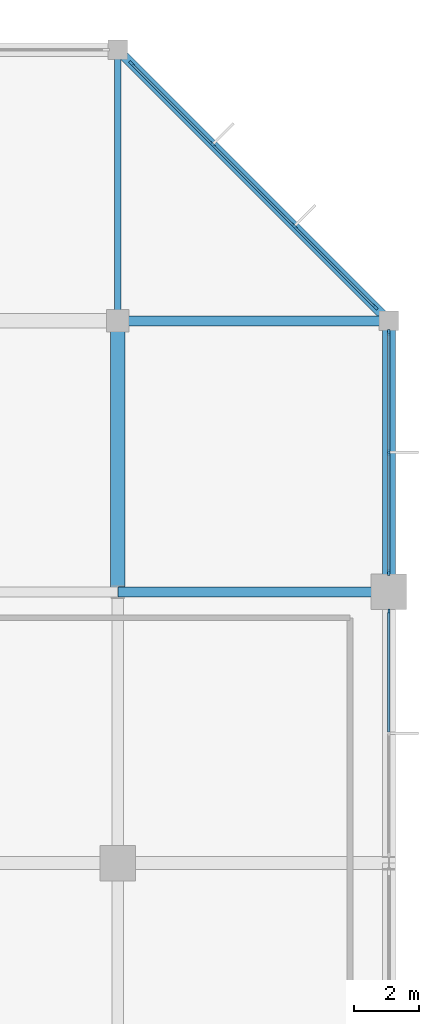
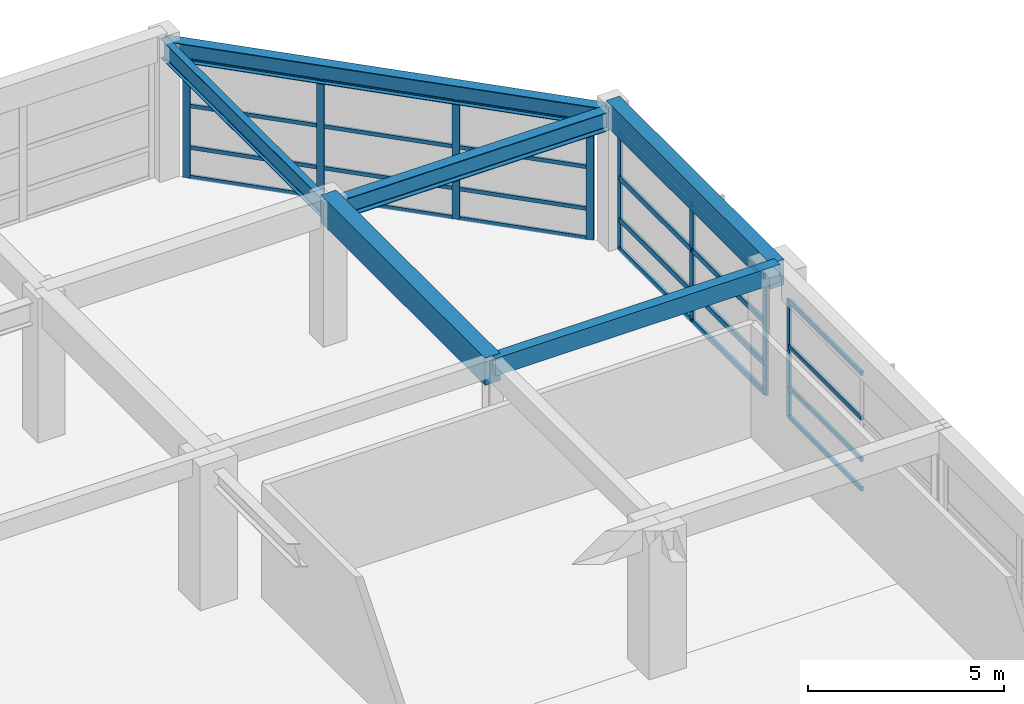
# One storey, part 41 of 62: 32 members, 6 beams, 3 elements without a shape of their own.
"""IFC4 building model written with IfcOpenShell, lengths in metres."""

from ifc_helpers import new_model, si_unit, direction, frame, origin, origin_2d, place, context, subcontext, project, spatial, rectangle, i_section, extrude, material, material_profile, profile_set, type_object, element, aggregate, save


model = new_model("IFC4")

# Units and contexts
model_context = context("Model", 3, precision=1e-05, world=origin(), true_north=direction((0.0, 1.0)))
body_context = subcontext(model_context, "Body", "Model", "MODEL_VIEW")
ifc_project = project(units=[si_unit("LENGTHUNIT", "METRE"), si_unit("AREAUNIT", "SQUARE_METRE"), si_unit("VOLUMEUNIT", "CUBIC_METRE"), si_unit("PLANEANGLEUNIT", "RADIAN"), si_unit("MASSUNIT", "GRAM", prefix="KILO")], contexts=[model_context])

# Site, building, storey
site_placement = place(None, origin())
site = spatial("IfcSite", under=ifc_project, at=site_placement, CompositionType="ELEMENT")
building_placement = place(site_placement, origin())
building = spatial("IfcBuilding", under=site, at=building_placement, Name="Xuanlan Plaza Opera House", CompositionType="ELEMENT")
storey_placement = place(building_placement, frame((0.0, 0.0, 14.39990234375)))
storey = spatial("IfcBuildingStorey", under=building, at=storey_placement, Name="L03", CompositionType="ELEMENT", Elevation=14.39990234375)

# Curtain wall, member
ifc_material_1 = material(Name="Anodised Aluminium 6063-T6 and Low-E Glass", Category="aluminium")
curtain_wall_type_1 = type_object("IfcCurtainWallType", Name="ENV-CW-CW-03", PredefinedType="USERDEFINED", material=ifc_material_1)
curtain_wall_1_placement = place(storey_placement, origin())
curtain_wall_1 = element("IfcCurtainWall", 1, at=curtain_wall_1_placement, inside=storey, type_object=curtain_wall_type_1, Name="Unitised Curtain Wall L03-026", ObjectType="UNITISED CURTAIN WALL", PredefinedType="USERDEFINED")
ifc_material_2 = material(Name="Anodised Aluminium 6063-T6", Category="aluminium")
ifc_material_profile_1 = material_profile(ifc_material_2, rectangle(XDim=0.06494140625, YDim=0.159912109375, at=origin_2d()), Name="ALU-M 65x160")
ifc_profile_set_1 = profile_set([ifc_material_profile_1], Name="Anodised Aluminium 6063-T6")
member_type_1 = type_object("IfcMemberType", Name="ENV-CWM-01", PredefinedType="MULLION", material=ifc_profile_set_1)
member_1_placement = place(storey_placement, frame((168.0, 83.3974609375, 0.0), z_axis=(0.0, 0.0, 1.0), x_axis=(-1.0, 0.0, 0.0)))
member_1 = element("IfcMember", 2, at=member_1_placement, type_object=member_type_1, Name="CW-03 mullion 3", PredefinedType="MULLION", context=body_context, shape_type="SweptSolid", body=[
    extrude(rectangle(XDim=0.06494140625, YDim=0.159912109375, at=origin_2d()), origin(), (0.0, 0.0, 1.0), 3.68017578125),
])

# Curtain wall, members
curtain_wall_type_2 = type_object("IfcCurtainWallType", Name="ENV-CW-CW-04", PredefinedType="USERDEFINED", material=ifc_material_1)
curtain_wall_2_placement = place(storey_placement, origin())
curtain_wall_2 = element("IfcCurtainWall", 3, at=curtain_wall_2_placement, inside=storey, type_object=curtain_wall_type_2, Name="Unitised Curtain Wall L03-027", ObjectType="UNITISED CURTAIN WALL", PredefinedType="USERDEFINED")
ifc_material_profile_2 = material_profile(ifc_material_2, rectangle(XDim=0.070068359375, YDim=0.179931640625, at=origin_2d()), Name="ALU-M 70x180")
ifc_profile_set_2 = profile_set([ifc_material_profile_2], Name="Anodised Aluminium 6063-T6")
member_type_2 = type_object("IfcMemberType", Name="ENV-CWM-02", PredefinedType="MULLION", material=ifc_profile_set_2)
member_2_placement = place(storey_placement, frame((168.0, 84.60498046875, 0.0), z_axis=(0.0, 0.0, 1.0), x_axis=(-1.0, 0.0, 0.0)))
member_2 = element("IfcMember", 4, at=member_2_placement, type_object=member_type_2, Name="CW-04 mullion 1", PredefinedType="MULLION", context=body_context, shape_type="SweptSolid", body=[
    extrude(rectangle(XDim=0.070068359375, YDim=0.179931640625, at=origin_2d()), origin(), (0.0, 0.0, 1.0), 3.68017578125),
])
member_3_placement = place(storey_placement, frame((168.0, 88.324951171875, 0.0), z_axis=(0.0, 0.0, 1.0), x_axis=(-1.0, 0.0, 0.0)))
member_3 = element("IfcMember", 5, at=member_3_placement, type_object=member_type_2, Name="CW-04 mullion 2", PredefinedType="MULLION", context=body_context, shape_type="SweptSolid", body=[
    extrude(rectangle(XDim=0.070068359375, YDim=0.179931640625, at=origin_2d()), origin(), (0.0, 0.0, 1.0), 3.68017578125),
])
member_4_placement = place(storey_placement, frame((168.0, 92.044921875, 0.0), z_axis=(0.0, 0.0, 1.0), x_axis=(-1.0, 0.0, 0.0)))
member_4 = element("IfcMember", 6, at=member_4_placement, type_object=member_type_2, Name="CW-04 mullion 3", PredefinedType="MULLION", context=body_context, shape_type="SweptSolid", body=[
    extrude(rectangle(XDim=0.070068359375, YDim=0.179931640625, at=origin_2d()), origin(), (0.0, 0.0, 1.0), 3.68017578125),
])

curtain_wall_type_3 = type_object("IfcCurtainWallType", Name="ENV-CW-CW-01", PredefinedType="USERDEFINED", material=ifc_material_1)
curtain_wall_3_placement = place(storey_placement, origin())
curtain_wall_3 = element("IfcCurtainWall", 7, at=curtain_wall_3_placement, inside=storey, type_object=curtain_wall_type_3, Name="Unitised Curtain Wall L03-028", ObjectType="UNITISED CURTAIN WALL", PredefinedType="USERDEFINED")
ifc_material_profile_3 = material_profile(ifc_material_2, rectangle(XDim=0.074951171875, YDim=0.199951171875, at=origin_2d()), Name="ALU-M 75x200")
ifc_profile_set_3 = profile_set([ifc_material_profile_3], Name="Anodised Aluminium 6063-T6")
member_type_3 = type_object("IfcMemberType", Name="ENV-CWM-03", PredefinedType="MULLION", material=ifc_profile_set_3)
member_5_placement = place(storey_placement, frame((167.574462890625, 92.825439453125, 0.0), z_axis=(0.0, 0.0, 1.0), x_axis=(-0.707106781187, -0.707106781187, 0.0)))
member_5 = element("IfcMember", 8, at=member_5_placement, type_object=member_type_3, Name="CW-01 mullion 1", PredefinedType="MULLION", context=body_context, shape_type="SweptSolid", body=[
    extrude(rectangle(XDim=0.074951171875, YDim=0.199951171875, at=origin_2d()), origin(), (0.0, 0.0, 1.0), 3.68017578125),
])
member_6_placement = place(storey_placement, frame((165.06689453125, 95.3330078125, 0.0), z_axis=(0.0, 0.0, 1.0), x_axis=(-0.707106781187, -0.707106781187, 0.0)))
member_6 = element("IfcMember", 9, at=member_6_placement, type_object=member_type_3, Name="CW-01 mullion 2", PredefinedType="MULLION", context=body_context, shape_type="SweptSolid", body=[
    extrude(rectangle(XDim=0.074951171875, YDim=0.199951171875, at=origin_2d()), origin(), (0.0, 0.0, 1.0), 3.68017578125),
])
member_7_placement = place(storey_placement, frame((162.532958984375, 97.866943359375, 0.0), z_axis=(0.0, 0.0, 1.0), x_axis=(-0.707106781187, -0.707106781187, 0.0)))
member_7 = element("IfcMember", 10, at=member_7_placement, type_object=member_type_3, Name="CW-01 mullion 3", PredefinedType="MULLION", context=body_context, shape_type="SweptSolid", body=[
    extrude(rectangle(XDim=0.074951171875, YDim=0.199951171875, at=origin_2d()), origin(), (0.0, 0.0, 1.0), 3.68017578125),
])
member_8_placement = place(storey_placement, frame((160.025634765625, 100.37451171875, 0.0), z_axis=(0.0, 0.0, 1.0), x_axis=(-0.707106781187, -0.707106781187, 0.0)))
member_8 = element("IfcMember", 11, at=member_8_placement, type_object=member_type_3, Name="CW-01 mullion 4", PredefinedType="MULLION", context=body_context, shape_type="SweptSolid", body=[
    extrude(rectangle(XDim=0.074951171875, YDim=0.199951171875, at=origin_2d()), origin(), (0.0, 0.0, 1.0), 3.68017578125),
])
ifc_material_profile_4 = material_profile(ifc_material_2, rectangle(XDim=0.06494140625, YDim=0.1201171875, at=origin_2d()), Name="ALU-T 65x120")
ifc_profile_set_4 = profile_set([ifc_material_profile_4], Name="Anodised Aluminium 6063-T6")
member_type_4 = type_object("IfcMemberType", Name="ENV-CWT-01", PredefinedType="USERDEFINED", material=ifc_profile_set_4)
member_9_placement = place(storey_placement, frame((167.5478515625, 92.85205078125, 0.03271484375), z_axis=(-0.707106781187, 0.707106781187, 0.0), x_axis=(-0.707106781187, -0.707106781187, 0.0)))
member_9 = element("IfcMember", 12, at=member_9_placement, type_object=member_type_4, Name="CW-01 transom 1.1", ObjectType="TRANSOM", PredefinedType="USERDEFINED", context=body_context, shape_type="SweptSolid", body=[
    extrude(rectangle(XDim=0.06494140625, YDim=0.1201171875, at=origin_2d()), origin(), (0.0, 0.0, 1.0), 3.470947265625),
])
member_10_placement = place(storey_placement, frame((167.5478515625, 92.85205078125, 0.9501953125), z_axis=(-0.707106781187, 0.707106781187, 0.0), x_axis=(-0.707106781187, -0.707106781187, 0.0)))
member_10 = element("IfcMember", 13, at=member_10_placement, type_object=member_type_4, Name="CW-01 transom 1.2", ObjectType="TRANSOM", PredefinedType="USERDEFINED", context=body_context, shape_type="SweptSolid", body=[
    extrude(rectangle(XDim=0.06494140625, YDim=0.1201171875, at=origin_2d()), origin(), (0.0, 0.0, 1.0), 3.470947265625),
])
member_11_placement = place(storey_placement, frame((167.5478515625, 92.85205078125, 2.25), z_axis=(-0.707106781187, 0.707106781187, 0.0), x_axis=(-0.707106781187, -0.707106781187, 0.0)))
member_11 = element("IfcMember", 14, at=member_11_placement, type_object=member_type_4, Name="CW-01 transom 1.3", ObjectType="TRANSOM", PredefinedType="USERDEFINED", context=body_context, shape_type="SweptSolid", body=[
    extrude(rectangle(XDim=0.06494140625, YDim=0.1201171875, at=origin_2d()), origin(), (0.0, 0.0, 1.0), 3.470947265625),
])
member_12_placement = place(storey_placement, frame((167.5478515625, 92.85205078125, 3.647705078125), z_axis=(-0.707106781187, 0.707106781187, 0.0), x_axis=(-0.707106781187, -0.707106781187, 0.0)))
member_12 = element("IfcMember", 15, at=member_12_placement, type_object=member_type_4, Name="CW-01 transom 1.4", ObjectType="TRANSOM", PredefinedType="USERDEFINED", context=body_context, shape_type="SweptSolid", body=[
    extrude(rectangle(XDim=0.06494140625, YDim=0.1201171875, at=origin_2d()), origin(), (0.0, 0.0, 1.0), 3.470947265625),
])
member_13_placement = place(storey_placement, frame((165.04052734375, 95.359619140625, 0.03271484375), z_axis=(-0.707106781187, 0.707106781187, 0.0), x_axis=(-0.707106781187, -0.707106781187, 0.0)))
member_13 = element("IfcMember", 16, at=member_13_placement, type_object=member_type_4, Name="CW-01 transom 2.1", ObjectType="TRANSOM", PredefinedType="USERDEFINED", context=body_context, shape_type="SweptSolid", body=[
    extrude(rectangle(XDim=0.06494140625, YDim=0.1201171875, at=origin_2d()), origin(), (0.0, 0.0, 1.0), 3.508544921875),
])
member_14_placement = place(storey_placement, frame((165.04052734375, 95.359619140625, 0.9501953125), z_axis=(-0.707106781187, 0.707106781187, 0.0), x_axis=(-0.707106781187, -0.707106781187, 0.0)))
member_14 = element("IfcMember", 17, at=member_14_placement, type_object=member_type_4, Name="CW-01 transom 2.2", ObjectType="TRANSOM", PredefinedType="USERDEFINED", context=body_context, shape_type="SweptSolid", body=[
    extrude(rectangle(XDim=0.06494140625, YDim=0.1201171875, at=origin_2d()), origin(), (0.0, 0.0, 1.0), 3.508544921875),
])
member_15_placement = place(storey_placement, frame((165.04052734375, 95.359619140625, 2.25), z_axis=(-0.707106781187, 0.707106781187, 0.0), x_axis=(-0.707106781187, -0.707106781187, 0.0)))
member_15 = element("IfcMember", 18, at=member_15_placement, type_object=member_type_4, Name="CW-01 transom 2.3", ObjectType="TRANSOM", PredefinedType="USERDEFINED", context=body_context, shape_type="SweptSolid", body=[
    extrude(rectangle(XDim=0.06494140625, YDim=0.1201171875, at=origin_2d()), origin(), (0.0, 0.0, 1.0), 3.508544921875),
])
member_16_placement = place(storey_placement, frame((165.04052734375, 95.359619140625, 3.647705078125), z_axis=(-0.707106781187, 0.707106781187, 0.0), x_axis=(-0.707106781187, -0.707106781187, 0.0)))
member_16 = element("IfcMember", 19, at=member_16_placement, type_object=member_type_4, Name="CW-01 transom 2.4", ObjectType="TRANSOM", PredefinedType="USERDEFINED", context=body_context, shape_type="SweptSolid", body=[
    extrude(rectangle(XDim=0.06494140625, YDim=0.1201171875, at=origin_2d()), origin(), (0.0, 0.0, 1.0), 3.508544921875),
])
member_17_placement = place(storey_placement, frame((162.506591796875, 97.8935546875, 0.03271484375), z_axis=(-0.707141947507, 0.707071613118, 0.0), x_axis=(-0.707071613118, -0.707141947507, 0.0)))
member_17 = element("IfcMember", 20, at=member_17_placement, type_object=member_type_4, Name="CW-01 transom 3.1", ObjectType="TRANSOM", PredefinedType="USERDEFINED", context=body_context, shape_type="SweptSolid", body=[
    extrude(rectangle(XDim=0.06494140625, YDim=0.1201171875, at=origin_2d()), origin(), (0.0, 0.0, 1.0), 3.47119140625),
])
member_18_placement = place(storey_placement, frame((162.506591796875, 97.8935546875, 0.9501953125), z_axis=(-0.707141947507, 0.707071613118, 0.0), x_axis=(-0.707071613118, -0.707141947507, 0.0)))
member_18 = element("IfcMember", 21, at=member_18_placement, type_object=member_type_4, Name="CW-01 transom 3.2", ObjectType="TRANSOM", PredefinedType="USERDEFINED", context=body_context, shape_type="SweptSolid", body=[
    extrude(rectangle(XDim=0.06494140625, YDim=0.1201171875, at=origin_2d()), origin(), (0.0, 0.0, 1.0), 3.47119140625),
])
member_19_placement = place(storey_placement, frame((162.506591796875, 97.8935546875, 2.25), z_axis=(-0.707141947507, 0.707071613118, 0.0), x_axis=(-0.707071613118, -0.707141947507, 0.0)))
member_19 = element("IfcMember", 22, at=member_19_placement, type_object=member_type_4, Name="CW-01 transom 3.3", ObjectType="TRANSOM", PredefinedType="USERDEFINED", context=body_context, shape_type="SweptSolid", body=[
    extrude(rectangle(XDim=0.06494140625, YDim=0.1201171875, at=origin_2d()), origin(), (0.0, 0.0, 1.0), 3.47119140625),
])
member_20_placement = place(storey_placement, frame((162.506591796875, 97.8935546875, 3.647705078125), z_axis=(-0.707141947507, 0.707071613118, 0.0), x_axis=(-0.707071613118, -0.707141947507, 0.0)))
member_20 = element("IfcMember", 23, at=member_20_placement, type_object=member_type_4, Name="CW-01 transom 3.4", ObjectType="TRANSOM", PredefinedType="USERDEFINED", context=body_context, shape_type="SweptSolid", body=[
    extrude(rectangle(XDim=0.06494140625, YDim=0.1201171875, at=origin_2d()), origin(), (0.0, 0.0, 1.0), 3.47119140625),
])
aggregate(curtain_wall_3, [member_5, member_6, member_7, member_8, member_9, member_10, member_11, member_12, member_13, member_14, member_15, member_16, member_17, member_18, member_19, member_20])

# Member
ifc_material_profile_5 = material_profile(ifc_material_2, rectangle(XDim=0.070068359375, YDim=0.135009765625, at=origin_2d()), Name="ALU-T 70x135")
ifc_profile_set_5 = profile_set([ifc_material_profile_5], Name="Anodised Aluminium 6063-T6")
member_type_5 = type_object("IfcMemberType", Name="ENV-CWT-02", PredefinedType="USERDEFINED", material=ifc_profile_set_5)
member_21_placement = place(storey_placement, frame((168.0, 79.657470703125, 0.03515625), z_axis=(0.0, 1.0, 0.0), x_axis=(-1.0, 0.0, 0.0)))
member_21 = element("IfcMember", 24, at=member_21_placement, type_object=member_type_5, Name="CW-03 transom 2.1", ObjectType="TRANSOM", PredefinedType="USERDEFINED", context=body_context, shape_type="SweptSolid", body=[
    extrude(rectangle(XDim=0.070068359375, YDim=0.135009765625, at=origin_2d()), origin(), (0.0, 0.0, 1.0), 3.70751953125),
])

member_22_placement = place(storey_placement, frame((168.0, 79.657470703125, 0.9501953125), z_axis=(0.0, 1.0, 0.0), x_axis=(-1.0, 0.0, 0.0)))
member_22 = element("IfcMember", 25, at=member_22_placement, type_object=member_type_5, Name="CW-03 transom 2.2", ObjectType="TRANSOM", PredefinedType="USERDEFINED", context=body_context, shape_type="SweptSolid", body=[
    extrude(rectangle(XDim=0.070068359375, YDim=0.135009765625, at=origin_2d()), origin(), (0.0, 0.0, 1.0), 3.70751953125),
])

member_23_placement = place(storey_placement, frame((168.0, 79.657470703125, 2.25), z_axis=(0.0, 1.0, 0.0), x_axis=(-1.0, 0.0, 0.0)))
member_23 = element("IfcMember", 26, at=member_23_placement, type_object=member_type_5, Name="CW-03 transom 2.3", ObjectType="TRANSOM", PredefinedType="USERDEFINED", context=body_context, shape_type="SweptSolid", body=[
    extrude(rectangle(XDim=0.070068359375, YDim=0.135009765625, at=origin_2d()), origin(), (0.0, 0.0, 1.0), 3.70751953125),
])

member_24_placement = place(storey_placement, frame((168.0, 79.657470703125, 3.64501953125), z_axis=(0.0, 1.0, 0.0), x_axis=(-1.0, 0.0, 0.0)))
member_24 = element("IfcMember", 27, at=member_24_placement, type_object=member_type_5, Name="CW-03 transom 2.4", ObjectType="TRANSOM", PredefinedType="USERDEFINED", context=body_context, shape_type="SweptSolid", body=[
    extrude(rectangle(XDim=0.070068359375, YDim=0.135009765625, at=origin_2d()), origin(), (0.0, 0.0, 1.0), 3.70751953125),
])

aggregate(curtain_wall_1, [member_1, member_21, member_22, member_23, member_24])

ifc_material_profile_6 = material_profile(ifc_material_2, rectangle(XDim=0.080078125, YDim=0.1650390625, at=origin_2d()), Name="ALU-T 80x165")
ifc_profile_set_6 = profile_set([ifc_material_profile_6], Name="Anodised Aluminium 6063-T6")
member_type_6 = type_object("IfcMemberType", Name="ENV-CWT-04", PredefinedType="USERDEFINED", material=ifc_profile_set_6)
member_25_placement = place(storey_placement, frame((168.0, 84.639892578125, 0.0400390625), z_axis=(0.0, 1.0, 0.0), x_axis=(-1.0, 0.0, 0.0)))
member_25 = element("IfcMember", 28, at=member_25_placement, type_object=member_type_6, Name="CW-04 transom 1.1", ObjectType="TRANSOM", PredefinedType="USERDEFINED", context=body_context, shape_type="SweptSolid", body=[
    extrude(rectangle(XDim=0.080078125, YDim=0.1650390625, at=origin_2d()), origin(), (0.0, 0.0, 1.0), 3.650146484375),
])

member_26_placement = place(storey_placement, frame((168.0, 84.639892578125, 0.9501953125), z_axis=(0.0, 1.0, 0.0), x_axis=(-1.0, 0.0, 0.0)))
member_26 = element("IfcMember", 29, at=member_26_placement, type_object=member_type_6, Name="CW-04 transom 1.2", ObjectType="TRANSOM", PredefinedType="USERDEFINED", context=body_context, shape_type="SweptSolid", body=[
    extrude(rectangle(XDim=0.080078125, YDim=0.1650390625, at=origin_2d()), origin(), (0.0, 0.0, 1.0), 3.650146484375),
])

member_27_placement = place(storey_placement, frame((168.0, 84.639892578125, 2.25), z_axis=(0.0, 1.0, 0.0), x_axis=(-1.0, 0.0, 0.0)))
member_27 = element("IfcMember", 30, at=member_27_placement, type_object=member_type_6, Name="CW-04 transom 1.3", ObjectType="TRANSOM", PredefinedType="USERDEFINED", context=body_context, shape_type="SweptSolid", body=[
    extrude(rectangle(XDim=0.080078125, YDim=0.1650390625, at=origin_2d()), origin(), (0.0, 0.0, 1.0), 3.650146484375),
])

member_28_placement = place(storey_placement, frame((168.0, 84.639892578125, 3.64013671875), z_axis=(0.0, 1.0, 0.0), x_axis=(-1.0, 0.0, 0.0)))
member_28 = element("IfcMember", 31, at=member_28_placement, type_object=member_type_6, Name="CW-04 transom 1.4", ObjectType="TRANSOM", PredefinedType="USERDEFINED", context=body_context, shape_type="SweptSolid", body=[
    extrude(rectangle(XDim=0.080078125, YDim=0.1650390625, at=origin_2d()), origin(), (0.0, 0.0, 1.0), 3.650146484375),
])

member_29_placement = place(storey_placement, frame((168.0, 88.360107421875, 0.0400390625), z_axis=(0.0, 1.0, 0.0), x_axis=(-1.0, 0.0, 0.0)))
member_29 = element("IfcMember", 32, at=member_29_placement, type_object=member_type_6, Name="CW-04 transom 2.1", ObjectType="TRANSOM", PredefinedType="USERDEFINED", context=body_context, shape_type="SweptSolid", body=[
    extrude(rectangle(XDim=0.080078125, YDim=0.1650390625, at=origin_2d()), origin(), (0.0, 0.0, 1.0), 3.64990234375),
])

member_30_placement = place(storey_placement, frame((168.0, 88.360107421875, 0.9501953125), z_axis=(0.0, 1.0, 0.0), x_axis=(-1.0, 0.0, 0.0)))
member_30 = element("IfcMember", 33, at=member_30_placement, type_object=member_type_6, Name="CW-04 transom 2.2", ObjectType="TRANSOM", PredefinedType="USERDEFINED", context=body_context, shape_type="SweptSolid", body=[
    extrude(rectangle(XDim=0.080078125, YDim=0.1650390625, at=origin_2d()), origin(), (0.0, 0.0, 1.0), 3.64990234375),
])

member_31_placement = place(storey_placement, frame((168.0, 88.360107421875, 2.25), z_axis=(0.0, 1.0, 0.0), x_axis=(-1.0, 0.0, 0.0)))
member_31 = element("IfcMember", 34, at=member_31_placement, type_object=member_type_6, Name="CW-04 transom 2.3", ObjectType="TRANSOM", PredefinedType="USERDEFINED", context=body_context, shape_type="SweptSolid", body=[
    extrude(rectangle(XDim=0.080078125, YDim=0.1650390625, at=origin_2d()), origin(), (0.0, 0.0, 1.0), 3.64990234375),
])

member_32_placement = place(storey_placement, frame((168.0, 88.360107421875, 3.64013671875), z_axis=(0.0, 1.0, 0.0), x_axis=(-1.0, 0.0, 0.0)))
member_32 = element("IfcMember", 35, at=member_32_placement, type_object=member_type_6, Name="CW-04 transom 2.4", ObjectType="TRANSOM", PredefinedType="USERDEFINED", context=body_context, shape_type="SweptSolid", body=[
    extrude(rectangle(XDim=0.080078125, YDim=0.1650390625, at=origin_2d()), origin(), (0.0, 0.0, 1.0), 3.64990234375),
])

aggregate(curtain_wall_2, [member_2, member_3, member_4, member_25, member_26, member_27, member_28, member_29, member_30, member_31, member_32])

# Beams
ifc_material_3 = material(Name="Concrete C40", Category="concrete")
ifc_material_profile_7 = material_profile(ifc_material_3, rectangle(XDim=0.449951171875, YDim=0.85009765625, at=origin_2d()), Name="RC-BM 450x850")
ifc_profile_set_7 = profile_set([ifc_material_profile_7], Name="Concrete C40")
beam_type_1 = type_object("IfcBeamType", Name="STR-BM-B-04", PredefinedType="BEAM", material=ifc_profile_set_7)
beam_1_placement = place(storey_placement, frame((159.60009765625, 84.0, 4.0751953125), z_axis=(0.0, 1.0, 0.0), x_axis=(-1.0, 0.0, 0.0)))
element("IfcBeam", 36, at=beam_1_placement, inside=storey, type_object=beam_type_1, Name="Grid Beam Y L03 20/K-L", PredefinedType="BEAM", context=body_context, shape_type="SweptSolid", body=[
    extrude(rectangle(XDim=0.449951171875, YDim=0.85009765625, at=origin_2d()), origin(), (0.0, 0.0, 1.0), 8.39990234375),
])
ifc_material_profile_8 = material_profile(ifc_material_3, rectangle(XDim=0.300048828125, YDim=0.550048828125, at=origin_2d()), Name="RC-BM 300x550")
ifc_profile_set_8 = profile_set([ifc_material_profile_8], Name="Concrete C40")
beam_type_2 = type_object("IfcBeamType", Name="STR-BM-B-09", PredefinedType="BEAM", material=ifc_profile_set_8)
beam_2_placement = place(storey_placement, frame((159.60009765625, 84.0, 4.22509765625), z_axis=(1.0, 0.0, 0.0), x_axis=(0.0, 1.0, 0.0)))
element("IfcBeam", 37, at=beam_2_placement, inside=storey, type_object=beam_type_2, Name="Grid Beam X L03 20-21/K", PredefinedType="BEAM", context=body_context, shape_type="SweptSolid", body=[
    extrude(rectangle(XDim=0.300048828125, YDim=0.550048828125, at=origin_2d()), origin(), (0.0, 0.0, 1.0), 8.39990234375),
])
ifc_material_4 = material(Name="Steel Q355B", Category="steel")
ifc_material_profile_9 = material_profile(ifc_material_4, i_section(OverallWidth=0.199951171875, OverallDepth=0.60009765625, WebThickness=0.010986328125, FlangeThickness=0.01708984375, FilletRadius=0.02197265625, at=origin_2d()), Name="HN 600x200x11x17")
ifc_profile_set_9 = profile_set([ifc_material_profile_9], Name="Steel Q355B")
beam_type_3 = type_object("IfcBeamType", Name="STR-BM-SB-04", PredefinedType="BEAM", material=ifc_profile_set_9)
beam_3_placement = place(storey_placement, frame((159.60009765625, 92.39990234375, 3.93505859375), z_axis=(0.0, 1.0, 0.0), x_axis=(-1.0, 0.0, 0.0)))
element("IfcBeam", 38, at=beam_3_placement, inside=storey, type_object=beam_type_3, Name="Grid Beam Y L03 20/L-M", PredefinedType="BEAM", context=body_context, shape_type="SweptSolid", body=[
    extrude(i_section(OverallWidth=0.199951171875, OverallDepth=0.60009765625, WebThickness=0.010986328125, FlangeThickness=0.01708984375, FilletRadius=0.02197265625, at=origin_2d()), origin(), (0.0, 0.0, 1.0), 8.400146484375),
])
ifc_material_profile_10 = material_profile(ifc_material_4, i_section(OverallWidth=0.300048828125, OverallDepth=0.587890625, WebThickness=0.011962890625, FlangeThickness=0.02001953125, FilletRadius=0.02392578125, at=origin_2d()), Name="HM 588x300x12x20")
ifc_profile_set_10 = profile_set([ifc_material_profile_10], Name="Steel Q355B")
beam_type_4 = type_object("IfcBeamType", Name="STR-BM-SB-06", PredefinedType="BEAM", material=ifc_profile_set_10)
beam_4_placement = place(storey_placement, frame((159.60009765625, 92.39990234375, 3.941162109375), z_axis=(1.0, 0.0, 0.0), x_axis=(0.0, 1.0, 0.0)))
element("IfcBeam", 39, at=beam_4_placement, inside=storey, type_object=beam_type_4, Name="Grid Beam X L03 20-21/L", PredefinedType="BEAM", context=body_context, shape_type="SweptSolid", body=[
    extrude(i_section(OverallWidth=0.300048828125, OverallDepth=0.587890625, WebThickness=0.011962890625, FlangeThickness=0.02001953125, FilletRadius=0.02392578125, at=origin_2d()), origin(), (0.0, 0.0, 1.0), 8.39990234375),
])
ifc_material_profile_11 = material_profile(ifc_material_3, rectangle(XDim=0.39990234375, YDim=0.800048828125, at=origin_2d()), Name="RC-SPD 400x800")
ifc_profile_set_11 = profile_set([ifc_material_profile_11], Name="Concrete C40")
beam_type_5 = type_object("IfcBeamType", Name="STR-BM-SP-01", PredefinedType="SPANDREL", material=ifc_profile_set_11)
beam_5_placement = place(storey_placement, frame((168.0, 84.0, 4.10009765625), z_axis=(0.0, 1.0, 0.0), x_axis=(-1.0, 0.0, 0.0)))
element("IfcBeam", 40, at=beam_5_placement, inside=storey, type_object=beam_type_5, Name="Grid Beam Y L03 21/K-L", PredefinedType="SPANDREL", context=body_context, shape_type="SweptSolid", body=[
    extrude(rectangle(XDim=0.39990234375, YDim=0.800048828125, at=origin_2d()), origin(), (0.0, 0.0, 1.0), 8.39990234375),
])
ifc_material_profile_12 = material_profile(ifc_material_4, i_section(OverallWidth=0.300048828125, OverallDepth=0.587890625, WebThickness=0.011962890625, FlangeThickness=0.02001953125, FilletRadius=0.02392578125, at=origin_2d()), Name="HM 588x300x12x20")
ifc_profile_set_12 = profile_set([ifc_material_profile_12], Name="Steel Q355B")
beam_type_6 = type_object("IfcBeamType", Name="STR-BM-SP-03", PredefinedType="SPANDREL", material=ifc_profile_set_12)
beam_6_placement = place(storey_placement, frame((159.60009765625, 100.800048828125, 3.941162109375), z_axis=(0.707096505339, -0.707117056885, 0.0), x_axis=(0.707117056885, 0.707096505339, 0.0)))
element("IfcBeam", 41, at=beam_6_placement, inside=storey, type_object=beam_type_6, Name="Faceted Edge Spandrel L03 CH07", PredefinedType="SPANDREL", context=body_context, shape_type="SweptSolid", body=[
    extrude(i_section(OverallWidth=0.300048828125, OverallDepth=0.587890625, WebThickness=0.011962890625, FlangeThickness=0.02001953125, FilletRadius=0.02392578125, at=origin_2d()), origin(), (0.0, 0.0, 1.0), 11.87939453125),
])

save(model, "model.ifc")
